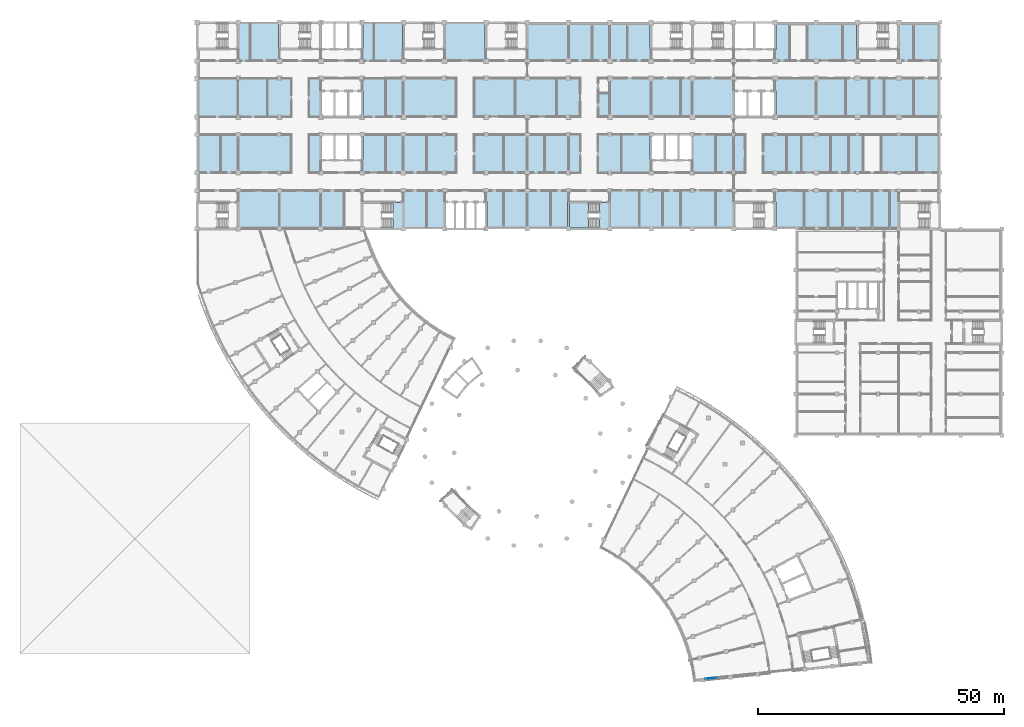
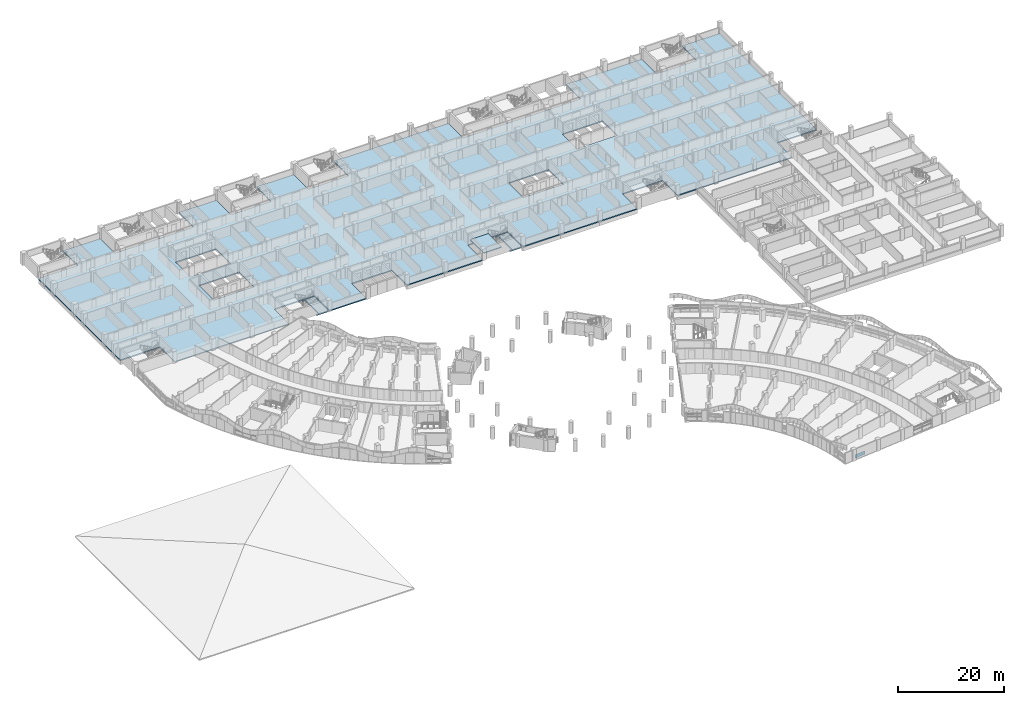
# One storey, part 32 of 89: 4 slabs, 1 plate, 2 elements without a shape of their own.
"""IFC4 building model written with IfcOpenShell, lengths in metres."""

from ifc_helpers import new_model, si_unit, direction, frame, origin, origin_2d, place, context, subcontext, project, spatial, polyline, rectangle, outline, extrude, material, layer, layer_set, type_object, element, aggregate, save


model = new_model("IFC4")

# Units and contexts
model_context = context("Model", 3, precision=1e-05, world=origin(), true_north=direction((0.0, 1.0)))
body_context = subcontext(model_context, "Body", "Model", "MODEL_VIEW")
ifc_project = project(units=[si_unit("LENGTHUNIT", "METRE"), si_unit("AREAUNIT", "SQUARE_METRE"), si_unit("VOLUMEUNIT", "CUBIC_METRE"), si_unit("PLANEANGLEUNIT", "RADIAN"), si_unit("MASSUNIT", "GRAM", prefix="KILO")], contexts=[model_context])

# Site, building, storey
site_placement = place(None, origin())
site = spatial("IfcSite", under=ifc_project, at=site_placement, CompositionType="ELEMENT")
building_placement = place(site_placement, origin())
building = spatial("IfcBuilding", under=site, at=building_placement, Name="Bougainvillea Quay General Hospital", CompositionType="ELEMENT")
storey_placement = place(building_placement, frame((0.0, 0.0, 9.89990234375)))
storey = spatial("IfcBuildingStorey", under=building, at=storey_placement, Name="L01M", CompositionType="ELEMENT", Elevation=9.89990234375)

# Curtain wall, plate
ifc_material_1 = material(Name="Aluminium curtain wall system, powder-coated glazed", Category="aluminium")
curtain_wall_type = type_object("IfcCurtainWallType", Name="Unitised curtain wall CW-2380", PredefinedType="NOTDEFINED", material=ifc_material_1)
curtain_wall_placement = place(storey_placement, origin())
curtain_wall = element("IfcCurtainWall", 1, at=curtain_wall_placement, inside=storey, type_object=curtain_wall_type, Name="CW-AE 01", PredefinedType="NOTDEFINED")
ifc_material_2 = material(Name="Insulated aluminium spandrel panel, white", Category="aluminium")
ifc_layer_1 = layer(ifc_material_2, 0.028076171875)
ifc_layer_set_1 = layer_set([ifc_layer_1], Name="Insulated aluminium spandrel panel, white")
plate_type = type_object("IfcPlateType", Name="Insulated spandrel panel white 28", PredefinedType="CURTAIN_PANEL", material=ifc_layer_set_1)
plate_placement = place(storey_placement, frame((146.59326171875, 26.181640625, 0.06005859375), z_axis=(0.0, 0.0, 1.0), x_axis=(0.9945220309, 0.104527173765, 0.0)))
plate = element("IfcPlate", 2, at=plate_placement, type_object=plate_type, Name="CW-AE spandrel panel 1.1", PredefinedType="CURTAIN_PANEL", context=body_context, shape_type="SweptSolid", body=[
    extrude(rectangle(XDim=2.289794921875, YDim=0.028076171875, at=origin_2d()), origin(), (0.0, 0.0, 1.0), 0.81005859375),
])
aggregate(curtain_wall, [plate])

# Slabs
ifc_material_3 = material(Name="Concrete C35", Category="concrete")
ifc_layer_2 = layer(ifc_material_3, 0.25)
ifc_layer_set_2 = layer_set([ifc_layer_2], Name="Concrete C35")
slab_type_1 = type_object("IfcSlabType", Name="RC FLAT SLAB 250 C35", PredefinedType="FLOOR", material=ifc_layer_set_2)
slab_1_placement = place(storey_placement, frame((0.0, 0.0, -0.25)))
element("IfcSlab", 3, at=slab_1_placement, inside=storey, type_object=slab_type_1, Name="Slab S5 L01M", PredefinedType="FLOOR", context=body_context, shape_type="SweptSolid", body=[
    extrude(outline(polyline([(83.824951171875, 159.60009765625), (75.77490234375, 159.60009765625), (75.77490234375, 154.02490234375), (75.425048828125, 154.02490234375), (72.800048828125, 154.02490234375), (70.0, 154.02490234375), (67.199951171875, 154.02490234375), (58.97509765625, 154.02490234375), (58.625, 154.02490234375), (58.625, 159.425048828125), (58.625, 159.60009765625), (50.574951171875, 159.60009765625), (50.574951171875, 154.02490234375), (50.22509765625, 154.02490234375), (42.175048828125, 154.02490234375), (42.0, 154.02490234375), (42.0, 123.175048828125), (50.22509765625, 123.175048828125), (50.574951171875, 123.175048828125), (50.574951171875, 117.60009765625), (75.425048828125, 117.60009765625), (75.425048828125, 122.824951171875), (75.425048828125, 123.175048828125), (83.824951171875, 123.175048828125), (84.175048828125, 123.175048828125), (84.175048828125, 117.60009765625), (92.22509765625, 117.60009765625), (92.22509765625, 122.824951171875), (92.22509765625, 123.175048828125), (94.5, 123.175048828125), (96.60009765625, 123.175048828125), (98.699951171875, 123.175048828125), (100.625, 123.175048828125), (100.97509765625, 123.175048828125), (100.97509765625, 117.60009765625), (117.425048828125, 117.60009765625), (117.425048828125, 122.824951171875), (117.425048828125, 123.175048828125), (125.824951171875, 123.175048828125), (126.175048828125, 123.175048828125), (126.175048828125, 117.60009765625), (151.02490234375, 117.60009765625), (151.02490234375, 122.824951171875), (151.02490234375, 123.175048828125), (159.425048828125, 123.175048828125), (159.77490234375, 123.175048828125), (159.77490234375, 117.60009765625), (184.625, 117.60009765625), (184.625, 122.824951171875), (184.625, 123.175048828125), (193.02490234375, 123.175048828125), (193.199951171875, 123.175048828125), (193.199951171875, 159.60009765625), (184.97509765625, 159.60009765625), (184.97509765625, 154.02490234375), (184.625, 154.02490234375), (176.574951171875, 154.02490234375), (176.22509765625, 154.02490234375), (176.22509765625, 159.425048828125), (176.22509765625, 159.60009765625), (159.77490234375, 159.60009765625), (159.77490234375, 154.02490234375), (159.425048828125, 154.02490234375), (155.39990234375, 154.02490234375), (151.199951171875, 154.02490234375), (142.800048828125, 154.02490234375), (134.574951171875, 154.02490234375), (134.22509765625, 154.02490234375), (134.22509765625, 159.425048828125), (134.22509765625, 159.60009765625), (109.375, 159.60009765625), (109.375, 154.02490234375), (109.02490234375, 154.02490234375), (100.97509765625, 154.02490234375), (100.625, 154.02490234375), (100.625, 159.425048828125), (100.625, 159.60009765625), (92.574951171875, 159.60009765625), (92.574951171875, 154.02490234375), (92.22509765625, 154.02490234375), (84.175048828125, 154.02490234375), (83.824951171875, 154.02490234375), (83.824951171875, 159.425048828125), (83.824951171875, 159.60009765625)]), holes=[polyline([(151.02490234375, 140.22509765625), (151.02490234375, 145.425048828125), (151.02490234375, 145.77490234375), (154.0, 145.77490234375), (156.800048828125, 145.77490234375), (159.425048828125, 145.77490234375), (159.77490234375, 145.77490234375), (159.77490234375, 140.22509765625), (159.425048828125, 140.22509765625), (156.800048828125, 140.22509765625), (154.0, 140.22509765625), (151.375, 140.22509765625), (151.02490234375, 140.22509765625)]), polyline([(134.22509765625, 136.97509765625), (137.199951171875, 136.97509765625), (140.0, 136.97509765625), (142.625, 136.97509765625), (142.97509765625, 136.97509765625), (142.97509765625, 131.425048828125), (142.625, 131.425048828125), (140.0, 131.425048828125), (137.199951171875, 131.425048828125), (134.574951171875, 131.425048828125), (134.22509765625, 131.425048828125), (134.22509765625, 136.625), (134.22509765625, 136.97509765625)]), polyline([(67.02490234375, 140.22509765625), (67.02490234375, 145.425048828125), (67.02490234375, 145.77490234375), (70.0, 145.77490234375), (72.800048828125, 145.77490234375), (75.425048828125, 145.77490234375), (75.77490234375, 145.77490234375), (75.77490234375, 140.22509765625), (75.425048828125, 140.22509765625), (72.800048828125, 140.22509765625), (70.0, 140.22509765625), (67.375, 140.22509765625), (67.02490234375, 140.22509765625)]), polyline([(67.02490234375, 131.425048828125), (67.02490234375, 136.625), (67.02490234375, 136.97509765625), (70.0, 136.97509765625), (72.800048828125, 136.97509765625), (75.425048828125, 136.97509765625), (75.77490234375, 136.97509765625), (75.77490234375, 131.425048828125), (75.425048828125, 131.425048828125), (72.800048828125, 131.425048828125), (70.0, 131.425048828125), (67.375, 131.425048828125), (67.02490234375, 131.425048828125)])]), origin(), (0.0, 0.0, 1.0), 0.25),
])
slab_2_placement = place(storey_placement, frame((0.0, 0.0, -0.25)))
element("IfcSlab", 4, at=slab_2_placement, inside=storey, type_object=slab_type_1, Name="Stair landing floor ST-B2 L01M", PredefinedType="FLOOR", context=body_context, shape_type="SweptSolid", body=[
    extrude(outline(polyline([(81.302978515625, 122.8837890625), (81.3115234375, 122.942138671875), (81.325927734375, 122.99951171875), (84.0, 123.0), (84.0, 117.60009765625), (81.325927734375, 117.600341796875), (81.3115234375, 117.657958984375), (81.302978515625, 117.71630859375), (81.300048828125, 117.77392578125), (81.900634765625, 117.7744140625), (81.900634765625, 122.82568359375), (81.300048828125, 122.825927734375), (81.302978515625, 122.8837890625)])), origin(), (0.0, 0.0, 1.0), 0.25),
])
slab_3_placement = place(storey_placement, frame((0.0, 0.0, -0.25)))
element("IfcSlab", 5, at=slab_3_placement, inside=storey, type_object=slab_type_1, Name="Stair landing floor ST-B3 L01M", PredefinedType="FLOOR", context=body_context, shape_type="SweptSolid", body=[
    extrude(outline(polyline([(123.302978515625, 122.8837890625), (123.3115234375, 122.942138671875), (123.325927734375, 122.99951171875), (126.0, 123.0), (126.0, 117.60009765625), (123.325927734375, 117.600341796875), (123.3115234375, 117.657958984375), (123.302978515625, 117.71630859375), (123.300048828125, 117.77392578125), (123.900634765625, 117.7744140625), (123.900634765625, 122.82568359375), (123.300048828125, 122.825927734375), (123.302978515625, 122.8837890625)])), origin(), (0.0, 0.0, 1.0), 0.25),
])

# Stair, slab
stair_type = type_object("IfcStairType", Name="Stair half-turn 1925 wide", PredefinedType="HALF_TURN_STAIR", material=ifc_material_3)
stair_placement = place(storey_placement, origin())
stair = element("IfcStair", 6, at=stair_placement, inside=storey, type_object=stair_type, Name="L01M stair ST-B3", PredefinedType="HALF_TURN_STAIR")
ifc_layer_3 = layer(ifc_material_3, 0.199951171875)
ifc_layer_set_3 = layer_set([ifc_layer_3], Name="Concrete C35")
slab_type_2 = type_object("IfcSlabType", Name="Stair landing 200", PredefinedType="LANDING", material=ifc_layer_set_3)
slab_4_placement = place(storey_placement, frame((0.0, 0.0, 1.150146484375)))
slab_4 = element("IfcSlab", 7, at=slab_4_placement, type_object=slab_type_2, Name="ST-B3 landing 1", PredefinedType="LANDING", context=body_context, shape_type="SweptSolid", body=[
    extrude(outline(polyline([(121.659912109375, 122.824951171875), (117.77490234375, 122.824951171875), (117.77490234375, 117.77490234375), (121.659912109375, 117.77490234375), (121.659912109375, 122.824951171875)])), origin(), (0.0, 0.0, 1.0), 0.199951171875),
])
aggregate(stair, [slab_4])

save(model, "model.ifc")
